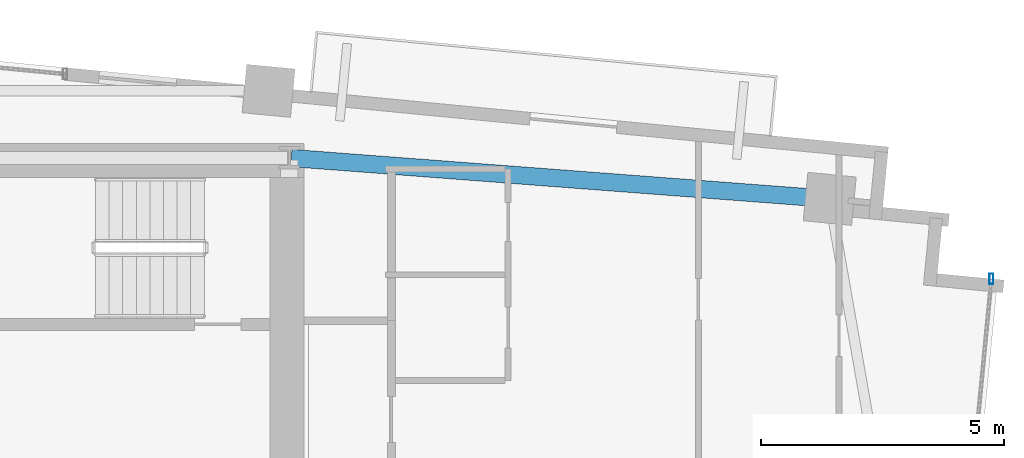
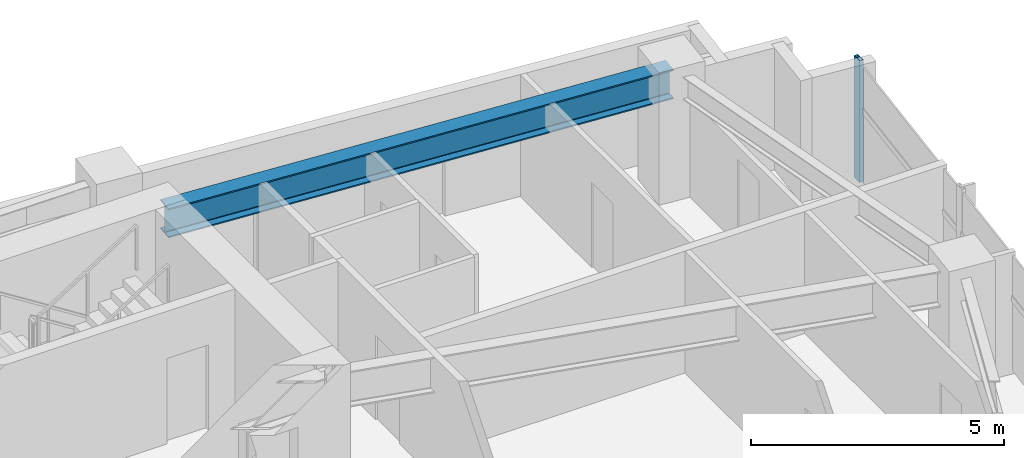
# One storey, part 12 of 19: 1 beam, 1 member, 1 element without a shape of its own.
"""IFC4 building model written with IfcOpenShell, lengths in metres."""

from ifc_helpers import new_model, si_unit, direction, frame, origin, origin_2d, place, context, subcontext, project, spatial, hollow_rectangle, i_section, extrude, source, transform, mapped, material, material_profile, profile_set, type_object, type_shapes, element, aggregate, save


model = new_model("IFC4")

# Units and contexts
model_context = context("Model", 3, precision=1e-05, world=origin(), true_north=direction((0.0, 1.0)))
body_context = subcontext(model_context, "Body", "Model", "MODEL_VIEW")
ifc_project = project(units=[si_unit("LENGTHUNIT", "METRE"), si_unit("AREAUNIT", "SQUARE_METRE"), si_unit("VOLUMEUNIT", "CUBIC_METRE"), si_unit("PLANEANGLEUNIT", "RADIAN"), si_unit("MASSUNIT", "GRAM", prefix="KILO")], contexts=[model_context])

# Site, building, storey
site_placement = place(None, origin())
site = spatial("IfcSite", under=ifc_project, at=site_placement, CompositionType="ELEMENT")
building_placement = place(site_placement, origin())
building = spatial("IfcBuilding", under=site, at=building_placement, Name="Astriad Promenade Condominiums", CompositionType="ELEMENT")
storey_placement = place(building_placement, frame((0.0, 0.0, 147.0)))
storey = spatial("IfcBuildingStorey", under=building, at=storey_placement, Name="L42", CompositionType="ELEMENT", Elevation=147.0)

# Beam
ifc_material_1 = material(Name="Steel ASTM A992 Grade 50", Category="steel")
ifc_material_profile_1 = material_profile(ifc_material_1, i_section(OverallWidth=0.35791015625, OverallDepth=0.706298828125, WebThickness=0.018310546875, FlangeThickness=0.0302734375, FilletRadius=0.020263671875, at=origin_2d()), Name="W27X178")
ifc_profile_set_1 = profile_set([ifc_material_profile_1], Name="Steel ASTM A992 Grade 50")
beam_type = type_object("IfcBeamType", Name="STEEL FLOOR GIRDER W27X178", PredefinedType="BEAM", material=ifc_profile_set_1)
shared_shape_1 = source(origin(), body_context, "Body", "SweptSolid", [
    extrude(i_section(OverallWidth=0.35791015625, OverallDepth=0.706298828125, WebThickness=0.018310546875, FlangeThickness=0.0302734375, FilletRadius=0.020263671875, at=origin_2d()), origin(), (0.0, 0.0, 1.0), 11.0712890625),
])
type_shapes(beam_type, [shared_shape_1])
beam_placement = place(storey_placement, frame((56.679443359375, 23.15966796875, 2.5869140625), z_axis=(-0.997135384808, 0.075637453445, 0.0), x_axis=(-0.075637453445, -0.997135384808, 0.0)))
element("IfcBeam", 1, at=beam_placement, inside=storey, type_object=beam_type, Name="Primary Floor Girder PG-NE-L42", PredefinedType="BEAM", context=body_context, shape_type="MappedRepresentation", body=[
    mapped(shared_shape_1, transform((0.0, 0.0, 0.0), scale=1.0)),
])

# Curtain wall, member
ifc_material_2 = material(Name="Anodised aluminium Black Dark Glass Unitised", Category="aluminium")
curtain_wall_type = type_object("IfcCurtainWallType", Name="CW-B34-DARK", PredefinedType="USERDEFINED", material=ifc_material_2)
curtain_wall_placement = place(storey_placement, origin())
curtain_wall = element("IfcCurtainWall", 2, at=curtain_wall_placement, inside=storey, type_object=curtain_wall_type, Name="CW-L42-E", ObjectType="UNITISED_CURTAIN_WALL", PredefinedType="USERDEFINED")
ifc_material_3 = material(Name="Anodised aluminium 6063-T6 Black", Category="aluminium")
ifc_material_profile_2 = material_profile(ifc_material_3, hollow_rectangle(XDim=0.0849609375, YDim=0.219970703125, WallThickness=0.0048828125, at=origin_2d()), Name="ALU-MUL-85X220")
ifc_profile_set_2 = profile_set([ifc_material_profile_2], Name="Anodised aluminium 6063-T6 Black")
member_type = type_object("IfcMemberType", Name="MUL-ALU-MUL-85X220", PredefinedType="MULLION", material=ifc_profile_set_2)
shared_shape_2 = source(origin(), body_context, "Body", "SweptSolid", [
    extrude(hollow_rectangle(XDim=0.0849609375, YDim=0.219970703125, WallThickness=0.0048828125, at=origin_2d()), origin(), (0.0, 0.0, 1.0), 2.93994140625),
])
type_shapes(member_type, [shared_shape_2])
member_placement = place(storey_placement, frame((60.046875, 21.51025390625, 0.0), z_axis=(0.0, 0.0, 1.0), x_axis=(1.0, 0.0, 0.0)))
member = element("IfcMember", 3, at=member_placement, type_object=member_type, Name="CW-L42-E-MUL-00", PredefinedType="MULLION", context=body_context, shape_type="MappedRepresentation", body=[
    mapped(shared_shape_2, transform((0.0, 0.0, 0.0), scale=1.0)),
])
aggregate(curtain_wall, [member])

save(model, "model.ifc")
